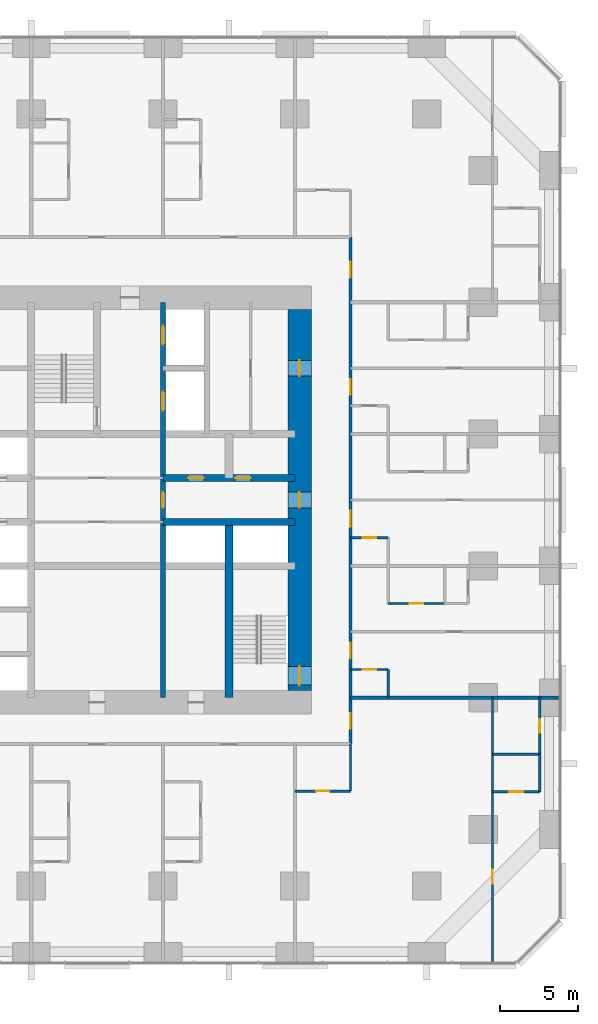
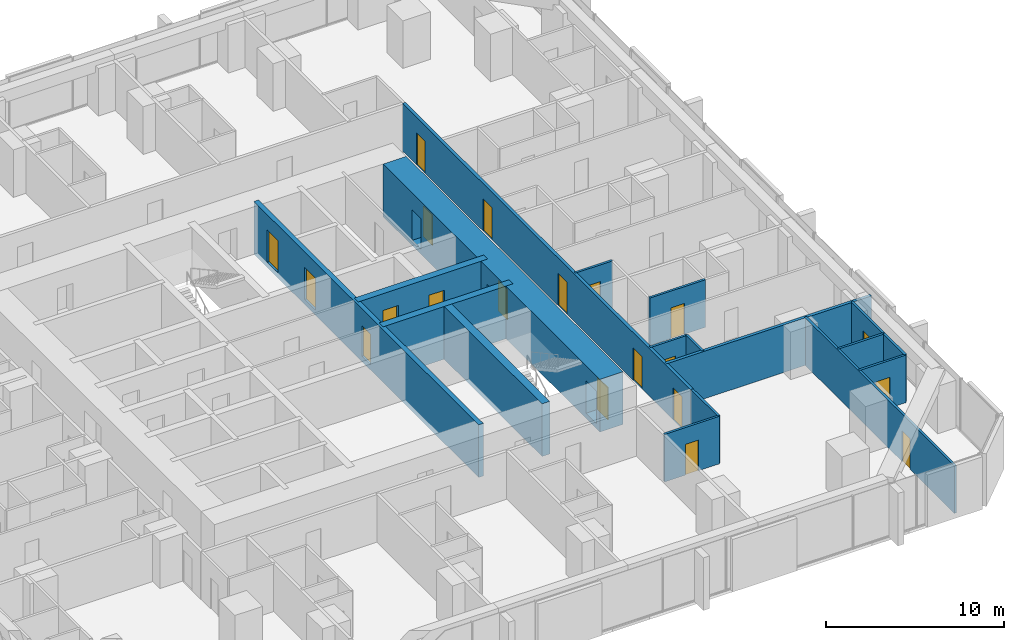
# One storey, part 13 of 17: 20 doors, 18 walls, 20 openings.
"""IFC4 building model written with IfcOpenShell, lengths in metres."""

from ifc_helpers import new_model, si_unit, direction, frame, frame_2d, origin, place, context, subcontext, project, spatial, rectangle, extrude, material, layer, layer_set, type_object, element, fill, save


model = new_model("IFC4")

# Units and contexts
model_context = context("Model", 3, precision=1e-05, world=origin(), true_north=direction((0.0, 1.0)))
body_context = subcontext(model_context, "Body", "Model", "MODEL_VIEW")
ifc_project = project(units=[si_unit("LENGTHUNIT", "METRE"), si_unit("AREAUNIT", "SQUARE_METRE"), si_unit("VOLUMEUNIT", "CUBIC_METRE"), si_unit("PLANEANGLEUNIT", "RADIAN"), si_unit("MASSUNIT", "GRAM", prefix="KILO")], contexts=[model_context])

# Site, building, storey
site_placement = place(None, origin())
site = spatial("IfcSite", under=ifc_project, at=site_placement, CompositionType="ELEMENT")
building_placement = place(site_placement, origin())
building = spatial("IfcBuilding", under=site, at=building_placement, Name="Dunama Terrace Hotel", CompositionType="ELEMENT")
storey_placement = place(building_placement, frame((0.0, 0.0, 55.800048828125)))
storey = spatial("IfcBuildingStorey", under=building, at=storey_placement, Name="L13", CompositionType="ELEMENT", Elevation=55.800048828125)

# Walls
ifc_material_1 = material(Name="Gypsum board partition", Category="masonry")
ifc_layer_1 = layer(ifc_material_1, 0.14990234375)
ifc_layer_set_1 = layer_set([ifc_layer_1], Name="Bathroom partition 150")
wall_type_1 = type_object("IfcWallType", Name="Bathroom partition 150", PredefinedType="PARTITIONING", material=ifc_layer_set_1)
wall_1_placement = place(storey_placement, frame((45.550048828125, 10.85009765625, 0.0), z_axis=(0.0, 0.0, 1.0), x_axis=(0.0, 1.0, 0.0)))
element("IfcWall", 1, at=wall_1_placement, inside=storey, type_object=wall_type_1, Name="Bathroom partition 150 L13", PredefinedType="PARTITIONING", context=body_context, shape_type="SweptSolid", body=[
    extrude(rectangle(XDim=3.0, YDim=0.14990234375, at=frame_2d((1.5, 0.0))), origin(), (0.0, 0.0, 1.0), 3.25),
])
wall_2_placement = place(storey_placement, frame((47.949951171875, 16.800048828125, 0.0), z_axis=(0.0, 0.0, 1.0), x_axis=(0.0, 1.0, 0.0)))
element("IfcWall", 2, at=wall_2_placement, inside=storey, type_object=wall_type_1, Name="Bathroom partition 150 L13", PredefinedType="PARTITIONING", context=body_context, shape_type="SweptSolid", body=[
    extrude(rectangle(XDim=1.800048828125, YDim=0.14990234375, at=frame_2d((0.89990234375, 0.0))), origin(), (0.0, 0.0, 1.0), 3.25),
])

# Wall, opening, door
wall_3_placement = place(storey_placement, frame((57.60009765625, 13.199951171875, 0.0), z_axis=(0.0, 0.0, 1.0), x_axis=(0.0, 1.0, 0.0)))
wall_3 = element("IfcWall", 3, at=wall_3_placement, inside=storey, type_object=wall_type_1, Name="Bathroom partition 150 L13", PredefinedType="PARTITIONING", context=body_context, shape_type="SweptSolid", body=[
    extrude(rectangle(XDim=3.60009765625, YDim=0.14990234375, at=frame_2d((1.800048828125, 0.0))), origin(), (0.0, 0.0, 1.0), 3.25),
])
opening_1_placement = place(wall_3_placement, frame((1.375, 0.0, 0.0)))
opening_1 = element("IfcOpeningElement", 4, at=opening_1_placement, cuts=wall_3, Name="Opening L13-14-065", PredefinedType="OPENING", context=body_context, shape_type="SweptSolid", body=[
    extrude(rectangle(XDim=0.85009765625, YDim=2.10009765625, at=frame_2d((0.425048828125, 1.050048828125))), frame((0.0, 0.0849609375, 0.0), z_axis=(0.0, -1.0, 0.0), x_axis=(1.0, 0.0, 0.0)), (0.0, 0.0, 1.0), 0.169921875),
])
ifc_material_2 = material(Name="Timber door with steel frame", Category="steel")
door_type_1 = type_object("IfcDoorType", Name="Bathroom door 850", OperationType="SINGLE_SWING_LEFT", PredefinedType="DOOR", material=ifc_material_2)
door_1_placement = place(opening_1_placement, origin())
door_1 = element("IfcDoor", 5, at=door_1_placement, inside=storey, type_object=door_type_1, Name="Door to en-suite bathroom L13-14-065, type D2", OperationType="SINGLE_SWING_RIGHT", OverallHeight=2.10009765625, OverallWidth=0.85009765625, PredefinedType="DOOR", context=body_context, shape_type="SweptSolid", body=[
    extrude(rectangle(XDim=0.85009765625, YDim=2.10009765625, at=frame_2d((0.425048828125, 1.050048828125))), frame((0.0, 0.02490234375, 0.0), z_axis=(0.0, -1.0, 0.0), x_axis=(1.0, 0.0, 0.0)), (0.0, 0.0, 1.0), 0.050048828125),
])
fill(opening_1, door_1)

wall_4_placement = place(storey_placement, frame((42.0, 10.85009765625, 0.0), z_axis=(0.0, 0.0, 1.0), x_axis=(1.0, 0.0, 0.0)))
wall_4 = element("IfcWall", 6, at=wall_4_placement, inside=storey, type_object=wall_type_1, Name="Bathroom partition 150 L13", PredefinedType="PARTITIONING", context=body_context, shape_type="SweptSolid", body=[
    extrude(rectangle(XDim=3.550048828125, YDim=0.14990234375, at=frame_2d((1.77490234375, 0.0))), origin(), (0.0, 0.0, 1.0), 3.25),
])
opening_2_placement = place(wall_4_placement, frame((1.35009765625, 0.0, 0.0)))
opening_2 = element("IfcOpeningElement", 7, at=opening_2_placement, cuts=wall_4, Name="Opening L13-14-063", PredefinedType="OPENING", context=body_context, shape_type="SweptSolid", body=[
    extrude(rectangle(XDim=0.85009765625, YDim=2.10009765625, at=frame_2d((0.425048828125, 1.050048828125))), frame((0.0, 0.0849609375, 0.0), z_axis=(0.0, -1.0, 0.0), x_axis=(1.0, 0.0, 0.0)), (0.0, 0.0, 1.0), 0.169921875),
])
door_2_placement = place(opening_2_placement, origin())
door_2 = element("IfcDoor", 8, at=door_2_placement, inside=storey, type_object=door_type_1, Name="Door to powder room L13-14-063, type D2", OperationType="SINGLE_SWING_LEFT", OverallHeight=2.10009765625, OverallWidth=0.85009765625, PredefinedType="DOOR", context=body_context, shape_type="SweptSolid", body=[
    extrude(rectangle(XDim=0.85009765625, YDim=2.10009765625, at=frame_2d((0.425048828125, 1.050048828125))), frame((0.0, 0.02490234375, 0.0), z_axis=(0.0, -1.0, 0.0), x_axis=(1.0, 0.0, 0.0)), (0.0, 0.0, 1.0), 0.050048828125),
])
fill(opening_2, door_2)

wall_5_placement = place(storey_placement, frame((45.550048828125, 18.60009765625, 0.0), z_axis=(0.0, 0.0, 1.0), x_axis=(1.0, 0.0, 0.0)))
wall_5 = element("IfcWall", 9, at=wall_5_placement, inside=storey, type_object=wall_type_1, Name="Bathroom partition 150 L13", PredefinedType="PARTITIONING", context=body_context, shape_type="SweptSolid", body=[
    extrude(rectangle(XDim=2.39990234375, YDim=0.14990234375, at=frame_2d((1.199951171875, 0.0))), origin(), (0.0, 0.0, 1.0), 3.25),
])
opening_3_placement = place(wall_5_placement, frame((0.77490234375, 0.0, 0.0)))
opening_3 = element("IfcOpeningElement", 10, at=opening_3_placement, cuts=wall_5, Name="Opening L13-14-019", PredefinedType="OPENING", context=body_context, shape_type="SweptSolid", body=[
    extrude(rectangle(XDim=0.85009765625, YDim=2.10009765625, at=frame_2d((0.425048828125, 1.050048828125))), frame((0.0, 0.0849609375, 0.0), z_axis=(0.0, -1.0, 0.0), x_axis=(1.0, 0.0, 0.0)), (0.0, 0.0, 1.0), 0.169921875),
])
door_3_placement = place(opening_3_placement, frame((0.85009765625, 0.0, 0.0), z_axis=(0.0, 0.0, 1.0), x_axis=(-1.0, 0.0, 0.0)))
door_3 = element("IfcDoor", 11, at=door_3_placement, inside=storey, type_object=door_type_1, Name="Door to powder room L13-14-019, type D2", OperationType="SINGLE_SWING_RIGHT", OverallHeight=2.10009765625, OverallWidth=0.85009765625, PredefinedType="DOOR", context=body_context, shape_type="SweptSolid", body=[
    extrude(rectangle(XDim=0.85009765625, YDim=2.10009765625, at=frame_2d((0.425048828125, 1.050048828125))), frame((0.0, 0.025146484375, 0.0), z_axis=(0.0, -1.0, 0.0), x_axis=(1.0, 0.0, 0.0)), (0.0, 0.0, 1.0), 0.050048828125),
])
fill(opening_3, door_3)

wall_6_placement = place(storey_placement, frame((47.949951171875, 22.800048828125, 0.0), z_axis=(0.0, 0.0, 1.0), x_axis=(1.0, 0.0, 0.0)))
wall_6 = element("IfcWall", 12, at=wall_6_placement, inside=storey, type_object=wall_type_1, Name="Bathroom partition 150 L13", PredefinedType="PARTITIONING", context=body_context, shape_type="SweptSolid", body=[
    extrude(rectangle(XDim=3.60009765625, YDim=0.14990234375, at=frame_2d((1.800048828125, 0.0))), origin(), (0.0, 0.0, 1.0), 3.25),
])
opening_4_placement = place(wall_6_placement, frame((1.375, 0.0, 0.0)))
opening_4 = element("IfcOpeningElement", 13, at=opening_4_placement, cuts=wall_6, Name="Opening L13-14-021", PredefinedType="OPENING", context=body_context, shape_type="SweptSolid", body=[
    extrude(rectangle(XDim=0.85009765625, YDim=2.10009765625, at=frame_2d((0.425048828125, 1.050048828125))), frame((0.0, 0.0849609375, 0.0), z_axis=(0.0, -1.0, 0.0), x_axis=(1.0, 0.0, 0.0)), (0.0, 0.0, 1.0), 0.169921875),
])
door_4_placement = place(opening_4_placement, origin())
door_4 = element("IfcDoor", 14, at=door_4_placement, inside=storey, type_object=door_type_1, Name="Door to en-suite bathroom L13-14-021, type D2", OperationType="SINGLE_SWING_RIGHT", OverallHeight=2.10009765625, OverallWidth=0.85009765625, PredefinedType="DOOR", context=body_context, shape_type="SweptSolid", body=[
    extrude(rectangle(XDim=0.85009765625, YDim=2.10009765625, at=frame_2d((0.425048828125, 1.050048828125))), frame((0.0, 0.02490234375, 0.0), z_axis=(0.0, -1.0, 0.0), x_axis=(1.0, 0.0, 0.0)), (0.0, 0.0, 1.0), 0.050048828125),
])
fill(opening_4, door_4)

wall_7_placement = place(storey_placement, frame((45.550048828125, 27.0, 0.0), z_axis=(0.0, 0.0, 1.0), x_axis=(1.0, 0.0, 0.0)))
wall_7 = element("IfcWall", 15, at=wall_7_placement, inside=storey, type_object=wall_type_1, Name="Bathroom partition 150 L13", PredefinedType="PARTITIONING", context=body_context, shape_type="SweptSolid", body=[
    extrude(rectangle(XDim=2.39990234375, YDim=0.14990234375, at=frame_2d((1.199951171875, 0.0))), origin(), (0.0, 0.0, 1.0), 3.25),
])
opening_5_placement = place(wall_7_placement, frame((0.77490234375, 0.0, 0.0)))
opening_5 = element("IfcOpeningElement", 16, at=opening_5_placement, cuts=wall_7, Name="Opening L13-14-024", PredefinedType="OPENING", context=body_context, shape_type="SweptSolid", body=[
    extrude(rectangle(XDim=0.85009765625, YDim=2.10009765625, at=frame_2d((0.425048828125, 1.050048828125))), frame((0.0, 0.0849609375, 0.0), z_axis=(0.0, -1.0, 0.0), x_axis=(1.0, 0.0, 0.0)), (0.0, 0.0, 1.0), 0.169921875),
])
door_5_placement = place(opening_5_placement, frame((0.85009765625, 0.0, 0.0), z_axis=(0.0, 0.0, 1.0), x_axis=(-1.0, 0.0, 0.0)))
door_5 = element("IfcDoor", 17, at=door_5_placement, inside=storey, type_object=door_type_1, Name="Door to powder room L13-14-024, type D2", OperationType="SINGLE_SWING_RIGHT", OverallHeight=2.10009765625, OverallWidth=0.85009765625, PredefinedType="DOOR", context=body_context, shape_type="SweptSolid", body=[
    extrude(rectangle(XDim=0.85009765625, YDim=2.10009765625, at=frame_2d((0.425048828125, 1.050048828125))), frame((0.0, 0.025146484375, 0.0), z_axis=(0.0, -1.0, 0.0), x_axis=(1.0, 0.0, 0.0)), (0.0, 0.0, 1.0), 0.050048828125),
])
fill(opening_5, door_5)

# Wall, openings, doors
ifc_material_3 = material(Name="Concrete C50/60", Category="concrete")
ifc_layer_2 = layer(ifc_material_3, 0.300048828125)
ifc_layer_set_2 = layer_set([ifc_layer_2], Name="Core inner wall 300")
wall_type_2 = type_object("IfcWallType", Name="Core inner wall 300", PredefinedType="SHEAR", material=ifc_layer_set_2)
wall_8_placement = place(storey_placement, frame((33.60009765625, 16.800048828125, -0.35009765625), z_axis=(0.0, 0.0, 1.0), x_axis=(0.0, 1.0, 0.0)))
wall_8 = element("IfcWall", 18, at=wall_8_placement, inside=storey, type_object=wall_type_2, Name="Core inner wall 300 L13", PredefinedType="SHEAR", context=body_context, shape_type="SweptSolid", body=[
    extrude(rectangle(XDim=25.199951171875, YDim=0.300048828125, at=frame_2d((12.60009765625, 0.0))), origin(), (0.0, 0.0, 1.0), 3.60009765625),
])
opening_6_placement = place(wall_8_placement, frame((22.5, 0.0, 0.35009765625)))
opening_6 = element("IfcOpeningElement", 19, at=opening_6_placement, cuts=wall_8, Name="Opening L13-14-007", PredefinedType="OPENING", context=body_context, shape_type="SweptSolid", body=[
    extrude(rectangle(XDim=1.199951171875, YDim=2.199951171875, at=frame_2d((0.60009765625, 1.10009765625))), frame((0.0, 0.159912109375, 0.0), z_axis=(0.0, -1.0, 0.0), x_axis=(1.0, 0.0, 0.0)), (0.0, 0.0, 1.0), 0.320068359375),
])
opening_7_placement = place(wall_8_placement, frame((18.300048828125, 0.0, 0.35009765625)))
opening_7 = element("IfcOpeningElement", 20, at=opening_7_placement, cuts=wall_8, Name="Opening L13-14-008", PredefinedType="OPENING", context=body_context, shape_type="SweptSolid", body=[
    extrude(rectangle(XDim=1.199951171875, YDim=2.199951171875, at=frame_2d((0.60009765625, 1.10009765625))), frame((0.0, 0.159912109375, 0.0), z_axis=(0.0, -1.0, 0.0), x_axis=(1.0, 0.0, 0.0)), (0.0, 0.0, 1.0), 0.320068359375),
])
opening_8_placement = place(wall_8_placement, frame((12.10009765625, 0.0, 0.35009765625)))
opening_8 = element("IfcOpeningElement", 21, at=opening_8_placement, cuts=wall_8, Name="Opening L13-14-081", PredefinedType="OPENING", context=body_context, shape_type="SweptSolid", body=[
    extrude(rectangle(XDim=1.0, YDim=2.10009765625, at=frame_2d((0.5, 1.050048828125))), frame((0.0, 0.159912109375, 0.0), z_axis=(0.0, -1.0, 0.0), x_axis=(1.0, 0.0, 0.0)), (0.0, 0.0, 1.0), 0.320068359375),
])
ifc_material_4 = material(Name="Stainless steel lift door", Category="steel")
door_type_2 = type_object("IfcDoorType", Name="Firefighting lift landing door 1200", OperationType="DOUBLE_DOOR_SLIDING", PredefinedType="DOOR", material=ifc_material_4)
door_6_placement = place(opening_6_placement, origin())
door_6 = element("IfcDoor", 22, at=door_6_placement, inside=storey, type_object=door_type_2, Name="Landing door FL1 L13-14-007, type LD2", OperationType="DOUBLE_DOOR_SLIDING", OverallHeight=2.199951171875, OverallWidth=1.199951171875, PredefinedType="DOOR", context=body_context, shape_type="SweptSolid", body=[
    extrude(rectangle(XDim=1.199951171875, YDim=2.199951171875, at=frame_2d((0.60009765625, 1.10009765625))), frame((0.0, 0.02490234375, 0.0), z_axis=(0.0, -1.0, 0.0), x_axis=(1.0, 0.0, 0.0)), (0.0, 0.0, 1.0), 0.050048828125),
])
fill(opening_6, door_6)
door_7_placement = place(opening_7_placement, origin())
door_7 = element("IfcDoor", 23, at=door_7_placement, inside=storey, type_object=door_type_2, Name="Landing door FL2 L13-14-008, type LD2", OperationType="DOUBLE_DOOR_SLIDING", OverallHeight=2.199951171875, OverallWidth=1.199951171875, PredefinedType="DOOR", context=body_context, shape_type="SweptSolid", body=[
    extrude(rectangle(XDim=1.199951171875, YDim=2.199951171875, at=frame_2d((0.60009765625, 1.10009765625))), frame((0.0, 0.02490234375, 0.0), z_axis=(0.0, -1.0, 0.0), x_axis=(1.0, 0.0, 0.0)), (0.0, 0.0, 1.0), 0.050048828125),
])
fill(opening_7, door_7)
ifc_material_5 = material(Name="Timber door with steel frame", Category="steel")
door_type_3 = type_object("IfcDoorType", Name="Service door 1000", OperationType="SINGLE_SWING_LEFT", PredefinedType="DOOR", material=ifc_material_5)
door_8_placement = place(opening_8_placement, origin())
door_8 = element("IfcDoor", 24, at=door_8_placement, inside=storey, type_object=door_type_3, Name="Door to staff passage L13-14-081, type D7", OperationType="SINGLE_SWING_LEFT", OverallHeight=2.10009765625, OverallWidth=1.0, PredefinedType="DOOR", context=body_context, shape_type="SweptSolid", body=[
    extrude(rectangle(XDim=1.0, YDim=2.10009765625, at=frame_2d((0.5, 1.050048828125))), frame((0.0, 0.02490234375, 0.0), z_axis=(0.0, -1.0, 0.0), x_axis=(1.0, 0.0, 0.0)), (0.0, 0.0, 1.0), 0.050048828125),
])
fill(opening_8, door_8)

# Wall
ifc_material_6 = material(Name="Concrete C50/60", Category="concrete")
ifc_layer_3 = layer(ifc_material_6, 0.449951171875)
ifc_layer_set_3 = layer_set([ifc_layer_3], Name="Core inner wall 450")
wall_type_3 = type_object("IfcWallType", Name="Core inner wall 450", PredefinedType="SHEAR", material=ifc_layer_set_3)
wall_9_placement = place(storey_placement, frame((33.60009765625, 28.0, -0.35009765625), z_axis=(0.0, 0.0, 1.0), x_axis=(1.0, 0.0, 0.0)))
element("IfcWall", 25, at=wall_9_placement, inside=storey, type_object=wall_type_3, Name="Core inner wall 450 L13", PredefinedType="SHEAR", context=body_context, shape_type="SweptSolid", body=[
    extrude(rectangle(XDim=8.39990234375, YDim=0.449951171875, at=frame_2d((4.199951171875, 0.0))), origin(), (0.0, 0.0, 1.0), 3.60009765625),
])

# Wall, openings, doors
wall_10_placement = place(storey_placement, frame((33.60009765625, 30.800048828125, -0.35009765625), z_axis=(0.0, 0.0, 1.0), x_axis=(1.0, 0.0, 0.0)))
wall_10 = element("IfcWall", 26, at=wall_10_placement, inside=storey, type_object=wall_type_3, Name="Core inner wall 450 L13", PredefinedType="SHEAR", context=body_context, shape_type="SweptSolid", body=[
    extrude(rectangle(XDim=8.39990234375, YDim=0.449951171875, at=frame_2d((4.199951171875, 0.0))), origin(), (0.0, 0.0, 1.0), 3.60009765625),
])
opening_9_placement = place(wall_10_placement, frame((1.60009765625, 0.0, 0.35009765625)))
opening_9 = element("IfcOpeningElement", 27, at=opening_9_placement, cuts=wall_10, Name="Opening L13-14-084", PredefinedType="OPENING", context=body_context, shape_type="SweptSolid", body=[
    extrude(rectangle(XDim=1.0, YDim=2.10009765625, at=frame_2d((0.5, 1.050048828125))), frame((0.0, 0.23486328125, 0.0), z_axis=(0.0, -1.0, 0.0), x_axis=(1.0, 0.0, 0.0)), (0.0, 0.0, 1.0), 0.469970703125),
])
opening_10_placement = place(wall_10_placement, frame((4.60009765625, 0.0, 0.35009765625)))
opening_10 = element("IfcOpeningElement", 28, at=opening_10_placement, cuts=wall_10, Name="Opening L13-14-085", PredefinedType="OPENING", context=body_context, shape_type="SweptSolid", body=[
    extrude(rectangle(XDim=1.0, YDim=2.10009765625, at=frame_2d((0.5, 1.050048828125))), frame((0.0, 0.23486328125, 0.0), z_axis=(0.0, -1.0, 0.0), x_axis=(1.0, 0.0, 0.0)), (0.0, 0.0, 1.0), 0.469970703125),
])
door_9_placement = place(opening_9_placement, origin())
door_9 = element("IfcDoor", 29, at=door_9_placement, inside=storey, type_object=door_type_3, Name="Door to service riser L13-14-084, type D7", OperationType="SINGLE_SWING_RIGHT", OverallHeight=2.10009765625, OverallWidth=1.0, PredefinedType="DOOR", context=body_context, shape_type="SweptSolid", body=[
    extrude(rectangle(XDim=1.0, YDim=2.10009765625, at=frame_2d((0.5, 1.050048828125))), frame((0.0, 0.02490234375, 0.0), z_axis=(0.0, -1.0, 0.0), x_axis=(1.0, 0.0, 0.0)), (0.0, 0.0, 1.0), 0.050048828125),
])
fill(opening_9, door_9)
door_10_placement = place(opening_10_placement, origin())
door_10 = element("IfcDoor", 30, at=door_10_placement, inside=storey, type_object=door_type_3, Name="Door to staff accessible wc L13-14-085, type D7", OperationType="SINGLE_SWING_LEFT", OverallHeight=2.10009765625, OverallWidth=1.0, PredefinedType="DOOR", context=body_context, shape_type="SweptSolid", body=[
    extrude(rectangle(XDim=1.0, YDim=2.10009765625, at=frame_2d((0.5, 1.050048828125))), frame((0.0, 0.02490234375, 0.0), z_axis=(0.0, -1.0, 0.0), x_axis=(1.0, 0.0, 0.0)), (0.0, 0.0, 1.0), 0.050048828125),
])
fill(opening_10, door_10)

# Wall
ifc_material_7 = material(Name="Concrete C50/60", Category="concrete")
ifc_layer_4 = layer(ifc_material_7, 0.5)
ifc_layer_set_4 = layer_set([ifc_layer_4], Name="Core inner wall 500")
wall_type_4 = type_object("IfcWallType", Name="Core inner wall 500", PredefinedType="SHEAR", material=ifc_layer_set_4)
wall_11_placement = place(storey_placement, frame((37.800048828125, 16.800048828125, -0.35009765625), z_axis=(0.0, 0.0, 1.0), x_axis=(0.0, 1.0, 0.0)))
element("IfcWall", 31, at=wall_11_placement, inside=storey, type_object=wall_type_4, Name="Core inner wall 500 L13", PredefinedType="SHEAR", context=body_context, shape_type="SweptSolid", body=[
    extrude(rectangle(XDim=11.199951171875, YDim=0.5, at=frame_2d((5.60009765625, 0.0))), origin(), (0.0, 0.0, 1.0), 3.60009765625),
])

# Wall, openings, doors
ifc_material_8 = material(Name="Concrete C60/75", Category="concrete")
ifc_layer_5 = layer(ifc_material_8, 1.5)
ifc_layer_set_5 = layer_set([ifc_layer_5], Name="Core wall 1500")
wall_type_5 = type_object("IfcWallType", Name="Core wall 1500", PredefinedType="SHEAR", material=ifc_layer_set_5)
wall_12_placement = place(storey_placement, frame((42.300048828125, 17.25, -0.35009765625), z_axis=(0.0, 0.0, 1.0), x_axis=(0.0, 1.0, 0.0)))
wall_12 = element("IfcWall", 32, at=wall_12_placement, inside=storey, type_object=wall_type_5, Name="Core wall east L13", PredefinedType="SHEAR", context=body_context, shape_type="SweptSolid", body=[
    extrude(rectangle(XDim=24.300048828125, YDim=1.5, at=frame_2d((12.14990234375, 0.0))), origin(), (0.0, 0.0, 1.0), 3.60009765625),
])
opening_11_placement = place(wall_12_placement, frame((0.35009765625, 0.0, 0.35009765625)))
opening_11 = element("IfcOpeningElement", 33, at=opening_11_placement, cuts=wall_12, Name="Opening L13-14-002", PredefinedType="OPENING", context=body_context, shape_type="SweptSolid", body=[
    extrude(rectangle(XDim=1.199951171875, YDim=2.199951171875, at=frame_2d((0.60009765625, 1.10009765625))), frame((0.0, 0.760009765625, 0.0), z_axis=(0.0, -1.0, 0.0), x_axis=(1.0, 0.0, 0.0)), (0.0, 0.0, 1.0), 1.52001953125),
])
opening_12_placement = place(wall_12_placement, frame((11.64990234375, 0.0, 0.35009765625)))
opening_12 = element("IfcOpeningElement", 34, at=opening_12_placement, cuts=wall_12, Name="Opening L13-14-086", PredefinedType="OPENING", context=body_context, shape_type="SweptSolid", body=[
    extrude(rectangle(XDim=1.0, YDim=2.10009765625, at=frame_2d((0.5, 1.050048828125))), frame((0.0, 0.760009765625, 0.0), z_axis=(0.0, -1.0, 0.0), x_axis=(1.0, 0.0, 0.0)), (0.0, 0.0, 1.0), 1.52001953125),
])
opening_13_placement = place(wall_12_placement, frame((20.050048828125, 0.0, 0.35009765625)))
opening_13 = element("IfcOpeningElement", 35, at=opening_13_placement, cuts=wall_12, Name="Opening L13-14-088", PredefinedType="OPENING", context=body_context, shape_type="SweptSolid", body=[
    extrude(rectangle(XDim=1.0, YDim=2.10009765625, at=frame_2d((0.5, 1.050048828125))), frame((0.0, 0.760009765625, 0.0), z_axis=(0.0, -1.0, 0.0), x_axis=(1.0, 0.0, 0.0)), (0.0, 0.0, 1.0), 1.52001953125),
])
door_11_placement = place(opening_12_placement, origin())
door_11 = element("IfcDoor", 36, at=door_11_placement, inside=storey, type_object=door_type_3, Name="Door to service lobby L13-14-086, type D7", OperationType="SINGLE_SWING_LEFT", OverallHeight=2.10009765625, OverallWidth=1.0, PredefinedType="DOOR", context=body_context, shape_type="SweptSolid", body=[
    extrude(rectangle(XDim=1.0, YDim=2.10009765625, at=frame_2d((0.5, 1.050048828125))), frame((0.0, 0.02490234375, 0.0), z_axis=(0.0, -1.0, 0.0), x_axis=(1.0, 0.0, 0.0)), (0.0, 0.0, 1.0), 0.050048828125),
])
fill(opening_12, door_11)
door_12_placement = place(opening_13_placement, origin())
door_12 = element("IfcDoor", 37, at=door_12_placement, inside=storey, type_object=door_type_3, Name="Door to guest pantry L13-14-088, type D7", OperationType="SINGLE_SWING_LEFT", OverallHeight=2.10009765625, OverallWidth=1.0, PredefinedType="DOOR", context=body_context, shape_type="SweptSolid", body=[
    extrude(rectangle(XDim=1.0, YDim=2.10009765625, at=frame_2d((0.5, 1.050048828125))), frame((0.0, 0.02490234375, 0.0), z_axis=(0.0, -1.0, 0.0), x_axis=(1.0, 0.0, 0.0)), (0.0, 0.0, 1.0), 0.050048828125),
])
fill(opening_13, door_12)
ifc_material_9 = material(Name="Timber door with steel frame", Category="steel")
door_type_4 = type_object("IfcDoorType", Name="Stair door 1200", OperationType="SINGLE_SWING_LEFT", PredefinedType="DOOR", material=ifc_material_9)
door_13_placement = place(opening_11_placement, origin())
door_13 = element("IfcDoor", 38, at=door_13_placement, inside=storey, type_object=door_type_4, Name="Stair door ST2 L13-14-002, type D5", OperationType="SINGLE_SWING_LEFT", OverallHeight=2.199951171875, OverallWidth=1.199951171875, PredefinedType="DOOR", context=body_context, shape_type="SweptSolid", body=[
    extrude(rectangle(XDim=1.199951171875, YDim=2.199951171875, at=frame_2d((0.60009765625, 1.10009765625))), frame((0.0, 0.02490234375, 0.0), z_axis=(0.0, -1.0, 0.0), x_axis=(1.0, 0.0, 0.0)), (0.0, 0.0, 1.0), 0.050048828125),
])
fill(opening_11, door_13)

ifc_material_10 = material(Name="Concrete blockwork", Category="masonry")
ifc_layer_6 = layer(ifc_material_10, 0.199951171875)
ifc_layer_set_6 = layer_set([ifc_layer_6], Name="Corridor partition 200")
wall_type_6 = type_object("IfcWallType", Name="Corridor partition 200", PredefinedType="PARTITIONING", material=ifc_layer_set_6)
wall_13_placement = place(storey_placement, frame((45.550048828125, 46.14990234375, 0.0), z_axis=(0.0, 0.0, 1.0), x_axis=(0.0, -1.0, 0.0)))
wall_13 = element("IfcWall", 39, at=wall_13_placement, inside=storey, type_object=wall_type_6, Name="Corridor partition 200 L13", PredefinedType="PARTITIONING", context=body_context, shape_type="SweptSolid", body=[
    extrude(rectangle(XDim=32.2998046875, YDim=0.199951171875, at=frame_2d((16.14990234375, 0.0))), origin(), (0.0, 0.0, 1.0), 3.25),
])
opening_14_placement = place(wall_13_placement, frame((25.85009765625, 0.0, 0.0)))
opening_14 = element("IfcOpeningElement", 40, at=opening_14_placement, cuts=wall_13, Name="Opening L13-14-018", PredefinedType="OPENING", context=body_context, shape_type="SweptSolid", body=[
    extrude(rectangle(XDim=1.0, YDim=2.199951171875, at=frame_2d((0.5, 1.10009765625))), frame((0.0, 0.10986328125, 0.0), z_axis=(0.0, -1.0, 0.0), x_axis=(1.0, 0.0, 0.0)), (0.0, 0.0, 1.0), 0.219970703125),
])
opening_15_placement = place(wall_13_placement, frame((17.449951171875, 0.0, 0.0)))
opening_15 = element("IfcOpeningElement", 41, at=opening_15_placement, cuts=wall_13, Name="Opening L13-14-023", PredefinedType="OPENING", context=body_context, shape_type="SweptSolid", body=[
    extrude(rectangle(XDim=1.0, YDim=2.199951171875, at=frame_2d((0.5, 1.10009765625))), frame((0.0, 0.10986328125, 0.0), z_axis=(0.0, -1.0, 0.0), x_axis=(1.0, 0.0, 0.0)), (0.0, 0.0, 1.0), 0.219970703125),
])
opening_16_placement = place(wall_13_placement, frame((9.050048828125, 0.0, 0.0)))
opening_16 = element("IfcOpeningElement", 42, at=opening_16_placement, cuts=wall_13, Name="Opening L13-14-028", PredefinedType="OPENING", context=body_context, shape_type="SweptSolid", body=[
    extrude(rectangle(XDim=1.0, YDim=2.199951171875, at=frame_2d((0.5, 1.10009765625))), frame((0.0, 0.10986328125, 0.0), z_axis=(0.0, -1.0, 0.0), x_axis=(1.0, 0.0, 0.0)), (0.0, 0.0, 1.0), 0.219970703125),
])
opening_17_placement = place(wall_13_placement, frame((30.324951171875, 0.0, 0.0)))
opening_17 = element("IfcOpeningElement", 43, at=opening_17_placement, cuts=wall_13, Name="Opening L13-14-062", PredefinedType="OPENING", context=body_context, shape_type="SweptSolid", body=[
    extrude(rectangle(XDim=1.0, YDim=2.199951171875, at=frame_2d((0.5, 1.10009765625))), frame((0.0, 0.10986328125, 0.0), z_axis=(0.0, -1.0, 0.0), x_axis=(1.0, 0.0, 0.0)), (0.0, 0.0, 1.0), 0.219970703125),
])
opening_18_placement = place(wall_13_placement, frame((1.574951171875, 0.0, 0.0)))
opening_18 = element("IfcOpeningElement", 44, at=opening_18_placement, cuts=wall_13, Name="Opening L13-14-067", PredefinedType="OPENING", context=body_context, shape_type="SweptSolid", body=[
    extrude(rectangle(XDim=1.0, YDim=2.199951171875, at=frame_2d((0.5, 1.10009765625))), frame((0.0, 0.10986328125, 0.0), z_axis=(0.0, -1.0, 0.0), x_axis=(1.0, 0.0, 0.0)), (0.0, 0.0, 1.0), 0.219970703125),
])
ifc_material_11 = material(Name="Timber door with steel frame", Category="steel")
door_type_5 = type_object("IfcDoorType", Name="Guest room door 1000", OperationType="SINGLE_SWING_LEFT", PredefinedType="DOOR", material=ifc_material_11)
door_14_placement = place(opening_14_placement, origin())
door_14 = element("IfcDoor", 45, at=door_14_placement, inside=storey, type_object=door_type_5, Name="Door to executive suite living room L13-14-018, type D1", OperationType="SINGLE_SWING_RIGHT", OverallHeight=2.199951171875, OverallWidth=1.0, PredefinedType="DOOR", context=body_context, shape_type="SweptSolid", body=[
    extrude(rectangle(XDim=1.0, YDim=2.199951171875, at=frame_2d((0.5, 1.10009765625))), frame((0.0, 0.02490234375, 0.0), z_axis=(0.0, -1.0, 0.0), x_axis=(1.0, 0.0, 0.0)), (0.0, 0.0, 1.0), 0.050048828125),
])
fill(opening_14, door_14)
door_15_placement = place(opening_15_placement, origin())
door_15 = element("IfcDoor", 46, at=door_15_placement, inside=storey, type_object=door_type_5, Name="Door to executive suite living room L13-14-023, type D1", OperationType="SINGLE_SWING_LEFT", OverallHeight=2.199951171875, OverallWidth=1.0, PredefinedType="DOOR", context=body_context, shape_type="SweptSolid", body=[
    extrude(rectangle(XDim=1.0, YDim=2.199951171875, at=frame_2d((0.5, 1.10009765625))), frame((0.0, 0.02490234375, 0.0), z_axis=(0.0, -1.0, 0.0), x_axis=(1.0, 0.0, 0.0)), (0.0, 0.0, 1.0), 0.050048828125),
])
fill(opening_15, door_15)
door_16_placement = place(opening_16_placement, origin())
door_16 = element("IfcDoor", 47, at=door_16_placement, inside=storey, type_object=door_type_5, Name="Door to executive suite living room L13-14-028, type D1", OperationType="SINGLE_SWING_RIGHT", OverallHeight=2.199951171875, OverallWidth=1.0, PredefinedType="DOOR", context=body_context, shape_type="SweptSolid", body=[
    extrude(rectangle(XDim=1.0, YDim=2.199951171875, at=frame_2d((0.5, 1.10009765625))), frame((0.0, 0.02490234375, 0.0), z_axis=(0.0, -1.0, 0.0), x_axis=(1.0, 0.0, 0.0)), (0.0, 0.0, 1.0), 0.050048828125),
])
fill(opening_16, door_16)
door_17_placement = place(opening_17_placement, origin())
door_17 = element("IfcDoor", 48, at=door_17_placement, inside=storey, type_object=door_type_5, Name="Door to corner suite living room L13-14-062, type D1", OperationType="SINGLE_SWING_LEFT", OverallHeight=2.199951171875, OverallWidth=1.0, PredefinedType="DOOR", context=body_context, shape_type="SweptSolid", body=[
    extrude(rectangle(XDim=1.0, YDim=2.199951171875, at=frame_2d((0.5, 1.10009765625))), frame((0.0, 0.02490234375, 0.0), z_axis=(0.0, -1.0, 0.0), x_axis=(1.0, 0.0, 0.0)), (0.0, 0.0, 1.0), 0.050048828125),
])
fill(opening_17, door_17)
door_18_placement = place(opening_18_placement, origin())
door_18 = element("IfcDoor", 49, at=door_18_placement, inside=storey, type_object=door_type_5, Name="Door to corner suite living room L13-14-067, type D1", OperationType="SINGLE_SWING_RIGHT", OverallHeight=2.199951171875, OverallWidth=1.0, PredefinedType="DOOR", context=body_context, shape_type="SweptSolid", body=[
    extrude(rectangle(XDim=1.0, YDim=2.199951171875, at=frame_2d((0.5, 1.10009765625))), frame((0.0, 0.02490234375, 0.0), z_axis=(0.0, -1.0, 0.0), x_axis=(1.0, 0.0, 0.0)), (0.0, 0.0, 1.0), 0.050048828125),
])
fill(opening_18, door_18)

# Wall
ifc_material_12 = material(Name="Concrete blockwork", Category="masonry")
ifc_layer_7 = layer(ifc_material_12, 0.199951171875)
ifc_layer_set_7 = layer_set([ifc_layer_7], Name="Party wall 200")
wall_type_7 = type_object("IfcWallType", Name="Party wall 200", PredefinedType="PARTITIONING", material=ifc_layer_set_7)
wall_14_placement = place(storey_placement, frame((45.550048828125, 16.800048828125, 0.0), z_axis=(0.0, 0.0, 1.0), x_axis=(1.0, 0.0, 0.0)))
element("IfcWall", 50, at=wall_14_placement, inside=storey, type_object=wall_type_7, Name="Party wall 200 L13", PredefinedType="PARTITIONING", context=body_context, shape_type="SweptSolid", body=[
    extrude(rectangle(XDim=13.258056640625, YDim=0.199951171875, at=frame_2d((6.62890625, 0.0))), origin(), (0.0, 0.0, 1.0), 3.25),
])

# Wall, opening, door
ifc_material_13 = material(Name="Gypsum board partition", Category="masonry")
ifc_layer_8 = layer(ifc_material_13, 0.14990234375)
ifc_layer_set_8 = layer_set([ifc_layer_8], Name="Room partition 150")
wall_type_8 = type_object("IfcWallType", Name="Room partition 150", PredefinedType="PARTITIONING", material=ifc_layer_set_8)
wall_15_placement = place(storey_placement, frame((54.60009765625, -0.008056640625, 0.0), z_axis=(0.0, 0.0, 1.0), x_axis=(0.0, 1.0, 0.0)))
wall_15 = element("IfcWall", 51, at=wall_15_placement, inside=storey, type_object=wall_type_8, Name="Room partition 150 L13", PredefinedType="PARTITIONING", context=body_context, shape_type="SweptSolid", body=[
    extrude(rectangle(XDim=16.80810546875, YDim=0.14990234375, at=frame_2d((8.404052734375, 0.0))), origin(), (0.0, 0.0, 1.0), 3.25),
])
opening_19_placement = place(wall_15_placement, frame((4.9580078125, 0.0, 0.0)))
opening_19 = element("IfcOpeningElement", 52, at=opening_19_placement, cuts=wall_15, Name="Opening L13-14-064", PredefinedType="OPENING", context=body_context, shape_type="SweptSolid", body=[
    extrude(rectangle(XDim=0.89990234375, YDim=2.10009765625, at=frame_2d((0.449951171875, 1.050048828125))), frame((0.0, 0.0849609375, 0.0), z_axis=(0.0, -1.0, 0.0), x_axis=(1.0, 0.0, 0.0)), (0.0, 0.0, 1.0), 0.169921875),
])
ifc_material_14 = material(Name="Timber door with steel frame", Category="steel")
door_type_6 = type_object("IfcDoorType", Name="Suite internal door 900", OperationType="SINGLE_SWING_LEFT", PredefinedType="DOOR", material=ifc_material_14)
door_19_placement = place(opening_19_placement, frame((0.89990234375, 0.0, 0.0), z_axis=(0.0, 0.0, 1.0), x_axis=(-1.0, 0.0, 0.0)))
door_19 = element("IfcDoor", 53, at=door_19_placement, inside=storey, type_object=door_type_6, Name="Door to corner suite bedroom L13-14-064, type D16", OperationType="SINGLE_SWING_LEFT", OverallHeight=2.10009765625, OverallWidth=0.89990234375, PredefinedType="DOOR", context=body_context, shape_type="SweptSolid", body=[
    extrude(rectangle(XDim=0.89990234375, YDim=2.10009765625, at=frame_2d((0.449951171875, 1.050048828125))), frame((0.0, 0.025146484375, 0.0), z_axis=(0.0, -1.0, 0.0), x_axis=(1.0, 0.0, 0.0)), (0.0, 0.0, 1.0), 0.050048828125),
])
fill(opening_19, door_19)

# Wall
wall_16_placement = place(storey_placement, frame((57.60009765625, 10.800048828125, 0.0), z_axis=(0.0, 0.0, 1.0), x_axis=(0.0, 1.0, 0.0)))
element("IfcWall", 54, at=wall_16_placement, inside=storey, type_object=wall_type_8, Name="Room partition 150 L13", PredefinedType="PARTITIONING", context=body_context, shape_type="SweptSolid", body=[
    extrude(rectangle(XDim=2.39990234375, YDim=0.14990234375, at=frame_2d((1.199951171875, 0.0))), origin(), (0.0, 0.0, 1.0), 3.25),
])

# Wall, opening, door
wall_17_placement = place(storey_placement, frame((54.60009765625, 10.800048828125, 0.0), z_axis=(0.0, 0.0, 1.0), x_axis=(1.0, 0.0, 0.0)))
wall_17 = element("IfcWall", 55, at=wall_17_placement, inside=storey, type_object=wall_type_8, Name="Room partition 150 L13", PredefinedType="PARTITIONING", context=body_context, shape_type="SweptSolid", body=[
    extrude(rectangle(XDim=3.0, YDim=0.14990234375, at=frame_2d((1.5, 0.0))), origin(), (0.0, 0.0, 1.0), 3.25),
])
opening_20_placement = place(wall_17_placement, frame((1.050048828125, 0.0, 0.0)))
opening_20 = element("IfcOpeningElement", 56, at=opening_20_placement, cuts=wall_17, Name="Opening L13-14-066", PredefinedType="OPENING", context=body_context, shape_type="SweptSolid", body=[
    extrude(rectangle(XDim=0.89990234375, YDim=2.10009765625, at=frame_2d((0.449951171875, 1.050048828125))), frame((0.0, 0.0849609375, 0.0), z_axis=(0.0, -1.0, 0.0), x_axis=(1.0, 0.0, 0.0)), (0.0, 0.0, 1.0), 0.169921875),
])
door_20_placement = place(opening_20_placement, origin())
door_20 = element("IfcDoor", 57, at=door_20_placement, inside=storey, type_object=door_type_6, Name="Door to dressing room L13-14-066, type D16", OperationType="SINGLE_SWING_LEFT", OverallHeight=2.10009765625, OverallWidth=0.89990234375, PredefinedType="DOOR", context=body_context, shape_type="SweptSolid", body=[
    extrude(rectangle(XDim=0.89990234375, YDim=2.10009765625, at=frame_2d((0.449951171875, 1.050048828125))), frame((0.0, 0.02490234375, 0.0), z_axis=(0.0, -1.0, 0.0), x_axis=(1.0, 0.0, 0.0)), (0.0, 0.0, 1.0), 0.050048828125),
])
fill(opening_20, door_20)

# Wall
wall_18_placement = place(storey_placement, frame((54.60009765625, 13.199951171875, 0.0), z_axis=(0.0, 0.0, 1.0), x_axis=(1.0, 0.0, 0.0)))
element("IfcWall", 58, at=wall_18_placement, inside=storey, type_object=wall_type_8, Name="Room partition 150 L13", PredefinedType="PARTITIONING", context=body_context, shape_type="SweptSolid", body=[
    extrude(rectangle(XDim=3.0, YDim=0.14990234375, at=frame_2d((1.5, 0.0))), origin(), (0.0, 0.0, 1.0), 3.25),
])

save(model, "model.ifc")
